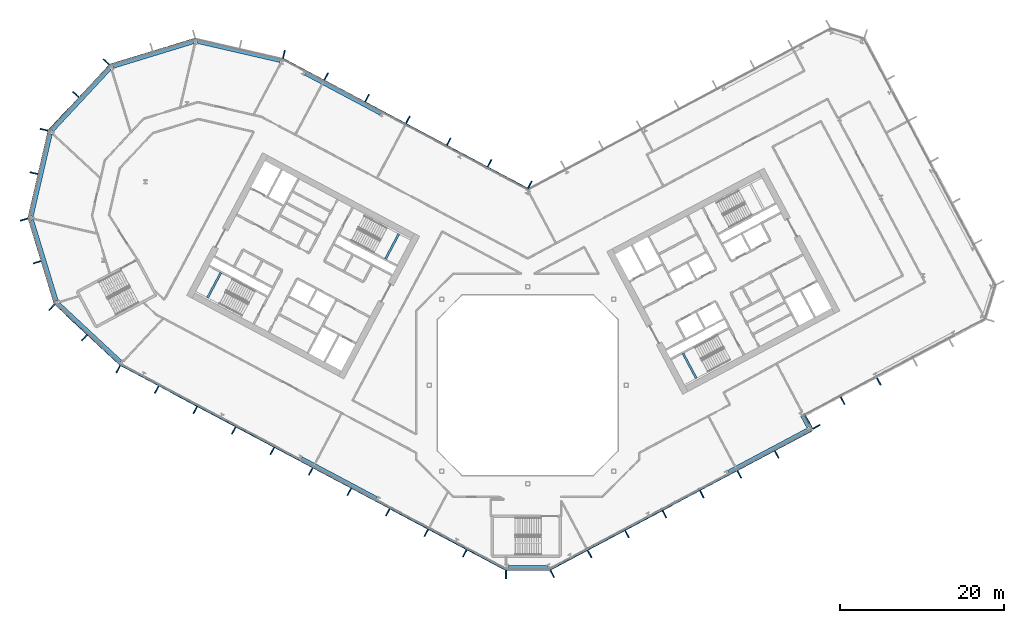
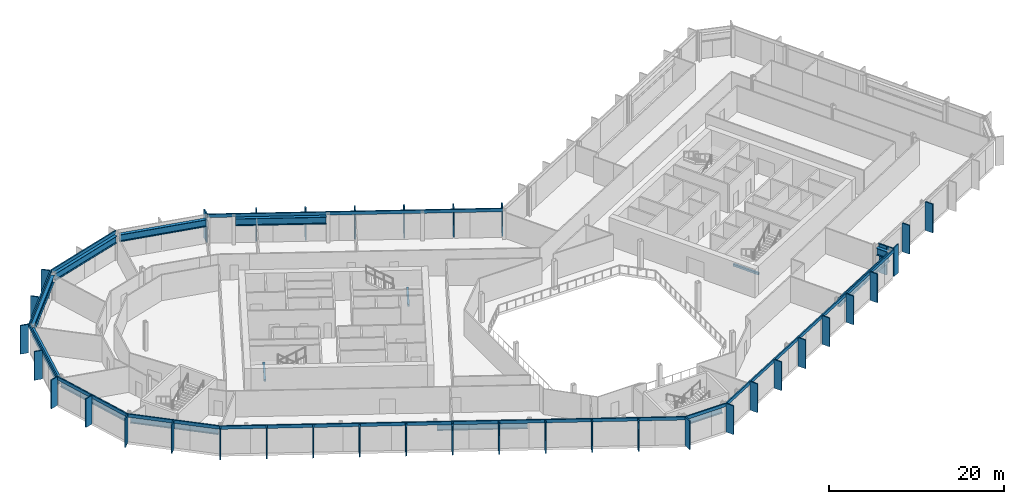
# One storey, part 9 of 28: 47 members, 14 beams, 12 elements without a shape of their own.
"""IFC4 building model written with IfcOpenShell, lengths in metres."""

from ifc_helpers import new_model, si_unit, direction, frame, origin, origin_2d, place, context, subcontext, project, spatial, rectangle, i_section, extrude, material, layer, layer_set, material_profile, profile_set, type_object, element, aggregate, save


model = new_model("IFC4")

# Units and contexts
model_context = context("Model", 3, precision=1e-05, world=origin(), true_north=direction((0.0, 1.0)))
body_context = subcontext(model_context, "Body", "Model", "MODEL_VIEW")
ifc_project = project(units=[si_unit("LENGTHUNIT", "METRE"), si_unit("AREAUNIT", "SQUARE_METRE"), si_unit("VOLUMEUNIT", "CUBIC_METRE"), si_unit("PLANEANGLEUNIT", "RADIAN"), si_unit("MASSUNIT", "GRAM", prefix="KILO")], contexts=[model_context])

# Site, building, storey
site_placement = place(None, origin())
site = spatial("IfcSite", under=ifc_project, at=site_placement, CompositionType="ELEMENT")
building_placement = place(site_placement, origin())
building = spatial("IfcBuilding", under=site, at=building_placement, Name="Cormorant Relay Tower", CompositionType="ELEMENT")
storey_placement = place(building_placement, frame((0.0, 0.0, 174.199951171875)))
storey = spatial("IfcBuildingStorey", under=building, at=storey_placement, Name="L37", CompositionType="ELEMENT", Elevation=174.199951171875)

# Curtain wall, member
ifc_material_1 = material(Name="Aluminium 6063-T6 anodised bronze", Category="aluminium")
ifc_layer = layer(ifc_material_1, 0.199951171875)
ifc_layer_set = layer_set([ifc_layer], Name="CW1 unitised bronze curtain wall with vertical fins")
curtain_wall_type = type_object("IfcCurtainWallType", Name="CW1 unitised bronze curtain wall with vertical fins", PredefinedType="NOTDEFINED", material=ifc_layer_set)
curtain_wall_1_placement = place(storey_placement, origin())
curtain_wall_1 = element("IfcCurtainWall", 1, at=curtain_wall_1_placement, inside=storey, type_object=curtain_wall_type, Name="CW1 curtain wall 1", PredefinedType="NOTDEFINED")
ifc_material_2 = material(Name="Aluminium 6063-T6 anodised bronze", Category="aluminium")
ifc_material_profile_1 = material_profile(ifc_material_2, rectangle(XDim=0.14990234375, YDim=1.0, at=origin_2d()), Name="AL 150x1000")
ifc_profile_set_1 = profile_set([ifc_material_profile_1], Name="Aluminium 6063-T6 anodised bronze")
member_type_1 = type_object("IfcMemberType", Name="CW1 bronze fin mullion 150 x 1000", PredefinedType="MULLION", material=ifc_profile_set_1)
member_1_placement = place(storey_placement, frame((-2.648681640625, -23.07568359375, 0.0), z_axis=(0.0, 0.0, 1.0), x_axis=(1.0, 0.0, 0.0)))
member_1 = element("IfcMember", 2, at=member_1_placement, type_object=member_type_1, Name="CW1 fin 1.1", PredefinedType="MULLION", context=body_context, shape_type="SweptSolid", body=[
    extrude(rectangle(XDim=0.14990234375, YDim=1.0, at=origin_2d()), origin(), (0.0, 0.0, 1.0), 4.0),
])

# Curtain wall, members
curtain_wall_2_placement = place(storey_placement, origin())
curtain_wall_2 = element("IfcCurtainWall", 3, at=curtain_wall_2_placement, inside=storey, type_object=curtain_wall_type, Name="CW1 curtain wall 2", PredefinedType="NOTDEFINED")
member_2_placement = place(storey_placement, frame((2.9775390625, -22.99365234375, 0.0), z_axis=(0.0, 0.0, 1.0), x_axis=(0.882947592859, 0.469471562786, 0.0)))
member_2 = element("IfcMember", 4, at=member_2_placement, type_object=member_type_1, Name="CW1 fin 2.1", PredefinedType="MULLION", context=body_context, shape_type="SweptSolid", body=[
    extrude(rectangle(XDim=0.14990234375, YDim=1.0, at=origin_2d()), origin(), (0.0, 0.0, 1.0), 4.0),
])
member_3_placement = place(storey_placement, frame((7.539306640625, -20.568115234375, 0.0), z_axis=(0.0, 0.0, 1.0), x_axis=(0.882947592859, 0.469471562786, 0.0)))
member_3 = element("IfcMember", 5, at=member_3_placement, type_object=member_type_1, Name="CW1 fin 2.2", PredefinedType="MULLION", context=body_context, shape_type="SweptSolid", body=[
    extrude(rectangle(XDim=0.14990234375, YDim=1.0, at=origin_2d()), origin(), (0.0, 0.0, 1.0), 4.0),
])
member_4_placement = place(storey_placement, frame((12.10107421875, -18.142578125, 0.0), z_axis=(0.0, 0.0, 1.0), x_axis=(0.882947592859, 0.469471562786, 0.0)))
member_4 = element("IfcMember", 6, at=member_4_placement, type_object=member_type_1, Name="CW1 fin 2.3", PredefinedType="MULLION", context=body_context, shape_type="SweptSolid", body=[
    extrude(rectangle(XDim=0.14990234375, YDim=1.0, at=origin_2d()), origin(), (0.0, 0.0, 1.0), 4.0),
])
member_5_placement = place(storey_placement, frame((16.662841796875, -15.717041015625, 0.0), z_axis=(0.0, 0.0, 1.0), x_axis=(0.882947592859, 0.469471562786, 0.0)))
member_5 = element("IfcMember", 7, at=member_5_placement, type_object=member_type_1, Name="CW1 fin 2.4", PredefinedType="MULLION", context=body_context, shape_type="SweptSolid", body=[
    extrude(rectangle(XDim=0.14990234375, YDim=1.0, at=origin_2d()), origin(), (0.0, 0.0, 1.0), 4.0),
])
member_6_placement = place(storey_placement, frame((21.224609375, -13.29150390625, 0.0), z_axis=(0.0, 0.0, 1.0), x_axis=(0.882947592859, 0.469471562786, 0.0)))
member_6 = element("IfcMember", 8, at=member_6_placement, type_object=member_type_1, Name="CW1 fin 2.5", PredefinedType="MULLION", context=body_context, shape_type="SweptSolid", body=[
    extrude(rectangle(XDim=0.14990234375, YDim=1.0, at=origin_2d()), origin(), (0.0, 0.0, 1.0), 4.0),
])
member_7_placement = place(storey_placement, frame((25.78662109375, -10.865966796875, 0.0), z_axis=(0.0, 0.0, 1.0), x_axis=(0.882947592859, 0.469471562786, 0.0)))
member_7 = element("IfcMember", 9, at=member_7_placement, type_object=member_type_1, Name="CW1 fin 2.6", PredefinedType="MULLION", context=body_context, shape_type="SweptSolid", body=[
    extrude(rectangle(XDim=0.14990234375, YDim=1.0, at=origin_2d()), origin(), (0.0, 0.0, 1.0), 4.0),
])
member_8_placement = place(storey_placement, frame((30.348388671875, -8.440185546875, 0.0), z_axis=(0.0, 0.0, 1.0), x_axis=(0.882947592859, 0.469471562786, 0.0)))
member_8 = element("IfcMember", 10, at=member_8_placement, type_object=member_type_1, Name="CW1 fin 2.7", PredefinedType="MULLION", context=body_context, shape_type="SweptSolid", body=[
    extrude(rectangle(XDim=0.14990234375, YDim=1.0, at=origin_2d()), origin(), (0.0, 0.0, 1.0), 4.0),
])

# Curtain wall, member
curtain_wall_3_placement = place(storey_placement, origin())
curtain_wall_3 = element("IfcCurtainWall", 11, at=curtain_wall_3_placement, inside=storey, type_object=curtain_wall_type, Name="CW1 curtain wall 3", PredefinedType="NOTDEFINED")
member_9_placement = place(storey_placement, frame((35.199462890625, -5.068115234375, 0.0), z_axis=(0.0, 0.0, 1.0), x_axis=(-0.469471562786, 0.882947592859, 0.0)))
member_9 = element("IfcMember", 12, at=member_9_placement, type_object=member_type_1, Name="CW1 fin 3.1", PredefinedType="MULLION", context=body_context, shape_type="SweptSolid", body=[
    extrude(rectangle(XDim=0.14990234375, YDim=1.0, at=origin_2d()), origin(), (0.0, 0.0, 1.0), 4.0),
])

# Curtain wall, members
curtain_wall_4_placement = place(storey_placement, origin())
curtain_wall_4 = element("IfcCurtainWall", 13, at=curtain_wall_4_placement, inside=storey, type_object=curtain_wall_type, Name="CW1 curtain wall 4", PredefinedType="NOTDEFINED")
member_10_placement = place(storey_placement, frame((34.037353515625, -4.213623046875, 0.0), z_axis=(0.0, 0.0, 1.0), x_axis=(0.882947592859, 0.469471562786, 0.0)))
member_10 = element("IfcMember", 14, at=member_10_placement, type_object=member_type_1, Name="CW1 fin 4.1", PredefinedType="MULLION", context=body_context, shape_type="SweptSolid", body=[
    extrude(rectangle(XDim=0.14990234375, YDim=1.0, at=origin_2d()), origin(), (0.0, 0.0, 1.0), 4.0),
])
member_11_placement = place(storey_placement, frame((38.385986328125, -1.901611328125, 0.0), z_axis=(0.0, 0.0, 1.0), x_axis=(0.882947592859, 0.469471562786, 0.0)))
member_11 = element("IfcMember", 15, at=member_11_placement, type_object=member_type_1, Name="CW1 fin 4.2", PredefinedType="MULLION", context=body_context, shape_type="SweptSolid", body=[
    extrude(rectangle(XDim=0.14990234375, YDim=1.0, at=origin_2d()), origin(), (0.0, 0.0, 1.0), 4.0),
])
member_12_placement = place(storey_placement, frame((42.800537109375, 0.44580078125, 0.0), z_axis=(0.0, 0.0, 1.0), x_axis=(0.882947592859, 0.469471562786, 0.0)))
member_12 = element("IfcMember", 16, at=member_12_placement, type_object=member_type_1, Name="CW1 fin 4.3", PredefinedType="MULLION", context=body_context, shape_type="SweptSolid", body=[
    extrude(rectangle(XDim=0.14990234375, YDim=1.0, at=origin_2d()), origin(), (0.0, 0.0, 1.0), 4.0),
])
aggregate(curtain_wall_4, [member_10, member_11, member_12])

curtain_wall_5_placement = place(storey_placement, origin())
curtain_wall_5 = element("IfcCurtainWall", 17, at=curtain_wall_5_placement, inside=storey, type_object=curtain_wall_type, Name="CW1 curtain wall 9", PredefinedType="NOTDEFINED")
member_13_placement = place(storey_placement, frame((0.262451171875, 24.437255859375, 0.0), z_axis=(0.0, 0.0, 1.0), x_axis=(-0.882947592859, 0.469471562786, 0.0)))
member_13 = element("IfcMember", 18, at=member_13_placement, type_object=member_type_1, Name="CW1 fin 9.1", PredefinedType="MULLION", context=body_context, shape_type="SweptSolid", body=[
    extrude(rectangle(XDim=0.14990234375, YDim=1.0, at=origin_2d()), origin(), (0.0, 0.0, 1.0), 4.0),
])
member_14_placement = place(storey_placement, frame((-4.650390625, 27.04931640625, 0.0), z_axis=(0.0, 0.0, 1.0), x_axis=(-0.882947592859, 0.469471562786, 0.0)))
member_14 = element("IfcMember", 19, at=member_14_placement, type_object=member_type_1, Name="CW1 fin 9.2", PredefinedType="MULLION", context=body_context, shape_type="SweptSolid", body=[
    extrude(rectangle(XDim=0.14990234375, YDim=1.0, at=origin_2d()), origin(), (0.0, 0.0, 1.0), 4.0),
])
member_15_placement = place(storey_placement, frame((-9.62939453125, 29.69677734375, 0.0), z_axis=(0.0, 0.0, 1.0), x_axis=(-0.882947592859, 0.469471562786, 0.0)))
member_15 = element("IfcMember", 20, at=member_15_placement, type_object=member_type_1, Name="CW1 fin 9.3", PredefinedType="MULLION", context=body_context, shape_type="SweptSolid", body=[
    extrude(rectangle(XDim=0.14990234375, YDim=1.0, at=origin_2d()), origin(), (0.0, 0.0, 1.0), 4.0),
])
member_16_placement = place(storey_placement, frame((-14.608154296875, 32.343994140625, 0.0), z_axis=(0.0, 0.0, 1.0), x_axis=(-0.882947592859, 0.469471562786, 0.0)))
member_16 = element("IfcMember", 21, at=member_16_placement, type_object=member_type_1, Name="CW1 fin 9.4", PredefinedType="MULLION", context=body_context, shape_type="SweptSolid", body=[
    extrude(rectangle(XDim=0.14990234375, YDim=1.0, at=origin_2d()), origin(), (0.0, 0.0, 1.0), 4.0),
])
member_17_placement = place(storey_placement, frame((-19.587158203125, 34.991455078125, 0.0), z_axis=(0.0, 0.0, 1.0), x_axis=(-0.882947592859, 0.469471562786, 0.0)))
member_17 = element("IfcMember", 22, at=member_17_placement, type_object=member_type_1, Name="CW1 fin 9.5", PredefinedType="MULLION", context=body_context, shape_type="SweptSolid", body=[
    extrude(rectangle(XDim=0.14990234375, YDim=1.0, at=origin_2d()), origin(), (0.0, 0.0, 1.0), 4.0),
])
member_18_placement = place(storey_placement, frame((-24.566162109375, 37.638916015625, 0.0), z_axis=(0.0, 0.0, 1.0), x_axis=(-0.882947592859, 0.469471562786, 0.0)))
member_18 = element("IfcMember", 23, at=member_18_placement, type_object=member_type_1, Name="CW1 fin 9.6", PredefinedType="MULLION", context=body_context, shape_type="SweptSolid", body=[
    extrude(rectangle(XDim=0.14990234375, YDim=1.0, at=origin_2d()), origin(), (0.0, 0.0, 1.0), 4.0),
])

# Curtain wall, member
curtain_wall_6_placement = place(storey_placement, origin())
curtain_wall_6 = element("IfcCurtainWall", 24, at=curtain_wall_6_placement, inside=storey, type_object=curtain_wall_type, Name="CW1 curtain wall 10", PredefinedType="NOTDEFINED")
member_19_placement = place(storey_placement, frame((-29.71630859375, 40.35009765625, 0.0), z_axis=(0.0, 0.0, 1.0), x_axis=(-0.974370064785, 0.224951054344, 0.0)))
member_19 = element("IfcMember", 25, at=member_19_placement, type_object=member_type_1, Name="CW1 fin 10.1", PredefinedType="MULLION", context=body_context, shape_type="SweptSolid", body=[
    extrude(rectangle(XDim=0.14990234375, YDim=1.0, at=origin_2d()), origin(), (0.0, 0.0, 1.0), 4.0),
])
aggregate(curtain_wall_6, [member_19])

# Curtain wall, members
curtain_wall_7_placement = place(storey_placement, origin())
curtain_wall_7 = element("IfcCurtainWall", 26, at=curtain_wall_7_placement, inside=storey, type_object=curtain_wall_type, Name="CW1 curtain wall 12", PredefinedType="NOTDEFINED")
member_20_placement = place(storey_placement, frame((-51.372802734375, 39.41259765625, 0.0), z_axis=(0.0, 0.0, 1.0), x_axis=(-0.681998360062, -0.731353701619, 0.0)))
member_20 = element("IfcMember", 27, at=member_20_placement, type_object=member_type_1, Name="CW1 fin 12.1", PredefinedType="MULLION", context=body_context, shape_type="SweptSolid", body=[
    extrude(rectangle(XDim=0.14990234375, YDim=1.0, at=origin_2d()), origin(), (0.0, 0.0, 1.0), 4.0),
])
member_21_placement = place(storey_placement, frame((-55.07958984375, 35.4375, 0.0), z_axis=(0.0, 0.0, 1.0), x_axis=(-0.681998360062, -0.731353701619, 0.0)))
member_21 = element("IfcMember", 28, at=member_21_placement, type_object=member_type_1, Name="CW1 fin 12.2", PredefinedType="MULLION", context=body_context, shape_type="SweptSolid", body=[
    extrude(rectangle(XDim=0.14990234375, YDim=1.0, at=origin_2d()), origin(), (0.0, 0.0, 1.0), 4.0),
])

curtain_wall_8_placement = place(storey_placement, origin())
curtain_wall_8 = element("IfcCurtainWall", 29, at=curtain_wall_8_placement, inside=storey, type_object=curtain_wall_type, Name="CW1 curtain wall 13", PredefinedType="NOTDEFINED")
member_22_placement = place(storey_placement, frame((-58.95654296875, 31.142578125, 0.0), z_axis=(0.0, 0.0, 1.0), x_axis=(-0.224951054344, -0.974370064785, 0.0)))
member_22 = element("IfcMember", 30, at=member_22_placement, type_object=member_type_1, Name="CW1 fin 13.1", PredefinedType="MULLION", context=body_context, shape_type="SweptSolid", body=[
    extrude(rectangle(XDim=0.14990234375, YDim=1.0, at=origin_2d()), origin(), (0.0, 0.0, 1.0), 4.0),
])
member_23_placement = place(storey_placement, frame((-60.17919921875, 25.8466796875, 0.0), z_axis=(0.0, 0.0, 1.0), x_axis=(-0.224951054344, -0.974370064785, 0.0)))
member_23 = element("IfcMember", 31, at=member_23_placement, type_object=member_type_1, Name="CW1 fin 13.2", PredefinedType="MULLION", context=body_context, shape_type="SweptSolid", body=[
    extrude(rectangle(XDim=0.14990234375, YDim=1.0, at=origin_2d()), origin(), (0.0, 0.0, 1.0), 4.0),
])

curtain_wall_9_placement = place(storey_placement, origin())
curtain_wall_9 = element("IfcCurtainWall", 32, at=curtain_wall_9_placement, inside=storey, type_object=curtain_wall_type, Name="CW1 curtain wall 14", PredefinedType="NOTDEFINED")
member_24_placement = place(storey_placement, frame((-61.389404296875, 20.188720703125, 0.0), z_axis=(0.0, 0.0, 1.0), x_axis=(0.292371704723, -0.956304755963, 0.0)))
member_24 = element("IfcMember", 33, at=member_24_placement, type_object=member_type_1, Name="CW1 fin 14.1", PredefinedType="MULLION", context=body_context, shape_type="SweptSolid", body=[
    extrude(rectangle(XDim=0.14990234375, YDim=1.0, at=origin_2d()), origin(), (0.0, 0.0, 1.0), 4.0),
])
member_25_placement = place(storey_placement, frame((-59.80029296875, 14.990966796875, 0.0), z_axis=(0.0, 0.0, 1.0), x_axis=(0.292371704723, -0.956304755963, 0.0)))
member_25 = element("IfcMember", 34, at=member_25_placement, type_object=member_type_1, Name="CW1 fin 14.2", PredefinedType="MULLION", context=body_context, shape_type="SweptSolid", body=[
    extrude(rectangle(XDim=0.14990234375, YDim=1.0, at=origin_2d()), origin(), (0.0, 0.0, 1.0), 4.0),
])

curtain_wall_10_placement = place(storey_placement, origin())
curtain_wall_10 = element("IfcCurtainWall", 35, at=curtain_wall_10_placement, inside=storey, type_object=curtain_wall_type, Name="CW1 curtain wall 15", PredefinedType="NOTDEFINED")
member_26_placement = place(storey_placement, frame((-58.01904296875, 9.486083984375, 0.0), z_axis=(0.0, 0.0, 1.0), x_axis=(0.731353701619, -0.681998360062, 0.0)))
member_26 = element("IfcMember", 36, at=member_26_placement, type_object=member_type_1, Name="CW1 fin 15.1", PredefinedType="MULLION", context=body_context, shape_type="SweptSolid", body=[
    extrude(rectangle(XDim=0.14990234375, YDim=1.0, at=origin_2d()), origin(), (0.0, 0.0, 1.0), 4.0),
])
member_27_placement = place(storey_placement, frame((-54.0439453125, 5.779296875, 0.0), z_axis=(0.0, 0.0, 1.0), x_axis=(0.731353701619, -0.681998360062, 0.0)))
member_27 = element("IfcMember", 37, at=member_27_placement, type_object=member_type_1, Name="CW1 fin 15.2", PredefinedType="MULLION", context=body_context, shape_type="SweptSolid", body=[
    extrude(rectangle(XDim=0.14990234375, YDim=1.0, at=origin_2d()), origin(), (0.0, 0.0, 1.0), 4.0),
])

curtain_wall_11_placement = place(storey_placement, origin())
curtain_wall_11 = element("IfcCurtainWall", 38, at=curtain_wall_11_placement, inside=storey, type_object=curtain_wall_type, Name="CW1 curtain wall 16", PredefinedType="NOTDEFINED")
member_28_placement = place(storey_placement, frame((-49.920166015625, 1.96630859375, 0.0), z_axis=(0.0, 0.0, 1.0), x_axis=(0.882947592859, -0.469471562786, 0.0)))
member_28 = element("IfcMember", 39, at=member_28_placement, type_object=member_type_1, Name="CW1 fin 16.1", PredefinedType="MULLION", context=body_context, shape_type="SweptSolid", body=[
    extrude(rectangle(XDim=0.14990234375, YDim=1.0, at=origin_2d()), origin(), (0.0, 0.0, 1.0), 4.0),
])
member_29_placement = place(storey_placement, frame((-45.225830078125, -0.52978515625, 0.0), z_axis=(0.0, 0.0, 1.0), x_axis=(0.882947592859, -0.469471562786, 0.0)))
member_29 = element("IfcMember", 40, at=member_29_placement, type_object=member_type_1, Name="CW1 fin 16.2", PredefinedType="MULLION", context=body_context, shape_type="SweptSolid", body=[
    extrude(rectangle(XDim=0.14990234375, YDim=1.0, at=origin_2d()), origin(), (0.0, 0.0, 1.0), 4.0),
])
member_30_placement = place(storey_placement, frame((-40.531494140625, -3.025634765625, 0.0), z_axis=(0.0, 0.0, 1.0), x_axis=(0.882947592859, -0.469471562786, 0.0)))
member_30 = element("IfcMember", 41, at=member_30_placement, type_object=member_type_1, Name="CW1 fin 16.3", PredefinedType="MULLION", context=body_context, shape_type="SweptSolid", body=[
    extrude(rectangle(XDim=0.14990234375, YDim=1.0, at=origin_2d()), origin(), (0.0, 0.0, 1.0), 4.0),
])
member_31_placement = place(storey_placement, frame((-35.83740234375, -5.521728515625, 0.0), z_axis=(0.0, 0.0, 1.0), x_axis=(0.882947592859, -0.469471562786, 0.0)))
member_31 = element("IfcMember", 42, at=member_31_placement, type_object=member_type_1, Name="CW1 fin 16.4", PredefinedType="MULLION", context=body_context, shape_type="SweptSolid", body=[
    extrude(rectangle(XDim=0.14990234375, YDim=1.0, at=origin_2d()), origin(), (0.0, 0.0, 1.0), 4.0),
])
member_32_placement = place(storey_placement, frame((-31.14306640625, -8.017578125, 0.0), z_axis=(0.0, 0.0, 1.0), x_axis=(0.882947592859, -0.469471562786, 0.0)))
member_32 = element("IfcMember", 43, at=member_32_placement, type_object=member_type_1, Name="CW1 fin 16.5", PredefinedType="MULLION", context=body_context, shape_type="SweptSolid", body=[
    extrude(rectangle(XDim=0.14990234375, YDim=1.0, at=origin_2d()), origin(), (0.0, 0.0, 1.0), 4.0),
])
member_33_placement = place(storey_placement, frame((-26.44873046875, -10.513671875, 0.0), z_axis=(0.0, 0.0, 1.0), x_axis=(0.882947592859, -0.469471562786, 0.0)))
member_33 = element("IfcMember", 44, at=member_33_placement, type_object=member_type_1, Name="CW1 fin 16.6", PredefinedType="MULLION", context=body_context, shape_type="SweptSolid", body=[
    extrude(rectangle(XDim=0.14990234375, YDim=1.0, at=origin_2d()), origin(), (0.0, 0.0, 1.0), 4.0),
])
member_34_placement = place(storey_placement, frame((-21.754638671875, -13.009765625, 0.0), z_axis=(0.0, 0.0, 1.0), x_axis=(0.882947592859, -0.469471562786, 0.0)))
member_34 = element("IfcMember", 45, at=member_34_placement, type_object=member_type_1, Name="CW1 fin 16.7", PredefinedType="MULLION", context=body_context, shape_type="SweptSolid", body=[
    extrude(rectangle(XDim=0.14990234375, YDim=1.0, at=origin_2d()), origin(), (0.0, 0.0, 1.0), 4.0),
])
member_35_placement = place(storey_placement, frame((-17.060302734375, -15.505615234375, 0.0), z_axis=(0.0, 0.0, 1.0), x_axis=(0.882947592859, -0.469471562786, 0.0)))
member_35 = element("IfcMember", 46, at=member_35_placement, type_object=member_type_1, Name="CW1 fin 16.8", PredefinedType="MULLION", context=body_context, shape_type="SweptSolid", body=[
    extrude(rectangle(XDim=0.14990234375, YDim=1.0, at=origin_2d()), origin(), (0.0, 0.0, 1.0), 4.0),
])
member_36_placement = place(storey_placement, frame((-12.365966796875, -18.001708984375, 0.0), z_axis=(0.0, 0.0, 1.0), x_axis=(0.882947592859, -0.469471562786, 0.0)))
member_36 = element("IfcMember", 47, at=member_36_placement, type_object=member_type_1, Name="CW1 fin 16.9", PredefinedType="MULLION", context=body_context, shape_type="SweptSolid", body=[
    extrude(rectangle(XDim=0.14990234375, YDim=1.0, at=origin_2d()), origin(), (0.0, 0.0, 1.0), 4.0),
])
member_37_placement = place(storey_placement, frame((-7.671630859375, -20.49755859375, 0.0), z_axis=(0.0, 0.0, 1.0), x_axis=(0.882947592859, -0.469471562786, 0.0)))
member_37 = element("IfcMember", 48, at=member_37_placement, type_object=member_type_1, Name="CW1 fin 16.10", PredefinedType="MULLION", context=body_context, shape_type="SweptSolid", body=[
    extrude(rectangle(XDim=0.14990234375, YDim=1.0, at=origin_2d()), origin(), (0.0, 0.0, 1.0), 4.0),
])

# Member
ifc_material_3 = material(Name="Aluminium 6063-T6 anodised bronze", Category="aluminium")
ifc_material_profile_2 = material_profile(ifc_material_3, rectangle(XDim=0.159912109375, YDim=0.449951171875, at=origin_2d()), Name="AL 160x450")
ifc_profile_set_2 = profile_set([ifc_material_profile_2], Name="Aluminium 6063-T6 anodised bronze")
member_type_2 = type_object("IfcMemberType", Name="CW1 bronze transom 160 x 450", PredefinedType="USERDEFINED", material=ifc_profile_set_2)
member_38_placement = place(storey_placement, frame((-2.648681640625, -22.49560546875, 3.775146484375), z_axis=(1.0, 0.0, 0.0), x_axis=(0.0, 1.0, 0.0)))
member_38 = element("IfcMember", 49, at=member_38_placement, type_object=member_type_2, Name="CW1 transom 1", ObjectType="TRANSOM", PredefinedType="USERDEFINED", context=body_context, shape_type="SweptSolid", body=[
    extrude(rectangle(XDim=0.159912109375, YDim=0.449951171875, at=origin_2d()), origin(), (0.0, 0.0, 1.0), 5.29736328125),
])

aggregate(curtain_wall_1, [member_1, member_38])

member_39_placement = place(storey_placement, frame((2.705078125, -22.4814453125, 3.775146484375), z_axis=(0.882948899141, 0.469469106018, 0.0), x_axis=(-0.469469106018, 0.882948899141, 0.0)))
member_39 = element("IfcMember", 50, at=member_39_placement, type_object=member_type_2, Name="CW1 transom 2", ObjectType="TRANSOM", PredefinedType="USERDEFINED", context=body_context, shape_type="SweptSolid", body=[
    extrude(rectangle(XDim=0.159912109375, YDim=0.449951171875, at=origin_2d()), origin(), (0.0, 0.0, 1.0), 36.165771484375),
])

aggregate(curtain_wall_2, [member_2, member_3, member_4, member_5, member_6, member_7, member_8, member_39])

member_40_placement = place(storey_placement, frame((34.6875, -5.34033203125, 3.775146484375), z_axis=(-0.469580583036, 0.88288961713, 0.0), x_axis=(-0.88288961713, -0.469580583036, 0.0)))
member_40 = element("IfcMember", 51, at=member_40_placement, type_object=member_type_2, Name="CW1 transom 3", ObjectType="TRANSOM", PredefinedType="USERDEFINED", context=body_context, shape_type="SweptSolid", body=[
    extrude(rectangle(XDim=0.159912109375, YDim=0.449951171875, at=origin_2d()), origin(), (0.0, 0.0, 1.0), 2.0),
])

aggregate(curtain_wall_3, [member_9, member_40])

member_41_placement = place(storey_placement, frame((0.056396484375, 23.889892578125, 3.775146484375), z_axis=(-0.882946280328, 0.46947403129, 0.0), x_axis=(-0.46947403129, -0.882946280328, 0.0)))
member_41 = element("IfcMember", 52, at=member_41_placement, type_object=member_type_2, Name="CW1 transom 9", ObjectType="TRANSOM", PredefinedType="USERDEFINED", context=body_context, shape_type="SweptSolid", body=[
    extrude(rectangle(XDim=0.159912109375, YDim=0.449951171875, at=origin_2d()), origin(), (0.0, 0.0, 1.0), 33.834228515625),
])

aggregate(curtain_wall_5, [member_13, member_14, member_15, member_16, member_17, member_18, member_41])

# Curtain wall, member
curtain_wall_12_placement = place(storey_placement, origin())
curtain_wall_12 = element("IfcCurtainWall", 53, at=curtain_wall_12_placement, inside=storey, type_object=curtain_wall_type, Name="CW1 curtain wall 11", PredefinedType="NOTDEFINED")
member_42_placement = place(storey_placement, frame((-40.50048828125, 42.228271484375, 3.775146484375), z_axis=(-0.956304833932, -0.292371449698, 0.0), x_axis=(0.292371449698, -0.956304833932, 0.0)))
member_42 = element("IfcMember", 54, at=member_42_placement, type_object=member_type_2, Name="CW1 transom 11", ObjectType="TRANSOM", PredefinedType="USERDEFINED", context=body_context, shape_type="SweptSolid", body=[
    extrude(rectangle(XDim=0.159912109375, YDim=0.449951171875, at=origin_2d()), origin(), (0.0, 0.0, 1.0), 10.87060546875),
])
aggregate(curtain_wall_12, [member_42])

# Member
member_43_placement = place(storey_placement, frame((-50.94873046875, 39.01708984375, 3.775146484375), z_axis=(-0.681993299437, -0.731358420696, 0.0), x_axis=(0.731358420696, -0.681993299437, 0.0)))
member_43 = element("IfcMember", 55, at=member_43_placement, type_object=member_type_2, Name="CW1 transom 12", ObjectType="TRANSOM", PredefinedType="USERDEFINED", context=body_context, shape_type="SweptSolid", body=[
    extrude(rectangle(XDim=0.159912109375, YDim=0.449951171875, at=origin_2d()), origin(), (0.0, 0.0, 1.0), 10.870361328125),
])

aggregate(curtain_wall_7, [member_20, member_21, member_43])

member_44_placement = place(storey_placement, frame((-58.3916015625, 31.01220703125, 3.775146484375), z_axis=(-0.22495136131, -0.974369993916, 0.0), x_axis=(0.974369993916, -0.22495136131, 0.0)))
member_44 = element("IfcMember", 56, at=member_44_placement, type_object=member_type_2, Name="CW1 transom 13", ObjectType="TRANSOM", PredefinedType="USERDEFINED", context=body_context, shape_type="SweptSolid", body=[
    extrude(rectangle(XDim=0.159912109375, YDim=0.449951171875, at=origin_2d()), origin(), (0.0, 0.0, 1.0), 10.870361328125),
])

aggregate(curtain_wall_8, [member_22, member_23, member_44])

member_45_placement = place(storey_placement, frame((-60.834716796875, 20.358154296875, 3.775146484375), z_axis=(0.292377729282, -0.95630291405, 0.0), x_axis=(0.95630291405, 0.292377729282, 0.0)))
member_45 = element("IfcMember", 57, at=member_45_placement, type_object=member_type_2, Name="CW1 transom 14", ObjectType="TRANSOM", PredefinedType="USERDEFINED", context=body_context, shape_type="SweptSolid", body=[
    extrude(rectangle(XDim=0.159912109375, YDim=0.449951171875, at=origin_2d()), origin(), (0.0, 0.0, 1.0), 10.870361328125),
])

aggregate(curtain_wall_9, [member_24, member_25, member_45])

member_46_placement = place(storey_placement, frame((-57.62353515625, 9.91015625, 3.775146484375), z_axis=(0.731358420696, -0.681993299437, 0.0), x_axis=(0.681993299437, 0.731358420696, 0.0)))
member_46 = element("IfcMember", 58, at=member_46_placement, type_object=member_type_2, Name="CW1 transom 15", ObjectType="TRANSOM", PredefinedType="USERDEFINED", context=body_context, shape_type="SweptSolid", body=[
    extrude(rectangle(XDim=0.159912109375, YDim=0.449951171875, at=origin_2d()), origin(), (0.0, 0.0, 1.0), 10.870361328125),
])

aggregate(curtain_wall_10, [member_26, member_27, member_46])

member_47_placement = place(storey_placement, frame((-49.64794921875, 2.478515625, 3.775146484375), z_axis=(0.882947642542, -0.469471469346, 0.0), x_axis=(0.469471469346, 0.882947642542, 0.0)))
member_47 = element("IfcMember", 59, at=member_47_placement, type_object=member_type_2, Name="CW1 transom 16", ObjectType="TRANSOM", PredefinedType="USERDEFINED", context=body_context, shape_type="SweptSolid", body=[
    extrude(rectangle(XDim=0.159912109375, YDim=0.449951171875, at=origin_2d()), origin(), (0.0, 0.0, 1.0), 53.166015625),
])

aggregate(curtain_wall_11, [member_28, member_29, member_30, member_31, member_32, member_33, member_34, member_35, member_36, member_37, member_47])

# Beams
ifc_material_4 = material(Name="Steel ASTM A992 (Fy 345 MPa)", Category="steel")
ifc_material_profile_3 = material_profile(ifc_material_4, i_section(OverallWidth=0.4013671875, OverallDepth=1.000732421875, WebThickness=0.01904296875, FlangeThickness=0.0361328125, FilletRadius=0.02978515625, at=origin_2d()), Name="W1000x371")
ifc_profile_set_3 = profile_set([ifc_material_profile_3], Name="Steel ASTM A992 (Fy 345 MPa)")
beam_type_1 = type_object("IfcBeamType", Name="Spandrel W1000x371", PredefinedType="SPANDREL", material=ifc_profile_set_3)
beam_1_placement = place(storey_placement, frame((-2.35888671875, -22.1748046875, 3.099609375), z_axis=(1.0, 0.0, 0.0), x_axis=(0.0, 1.0, 0.0)))
element("IfcBeam", 60, at=beam_1_placement, inside=storey, type_object=beam_type_1, Name="Spandrel beam L37-001", PredefinedType="SPANDREL", context=body_context, shape_type="SweptSolid", body=[
    extrude(i_section(OverallWidth=0.4013671875, OverallDepth=1.000732421875, WebThickness=0.01904296875, FlangeThickness=0.0361328125, FilletRadius=0.02978515625, at=origin_2d()), origin(), (0.0, 0.0, 1.0), 4.748046875),
])
beam_2_placement = place(storey_placement, frame((24.427001953125, -10.568603515625, 3.099609375), z_axis=(0.88295524081, 0.469457178799, 0.0), x_axis=(-0.469457178799, 0.88295524081, 0.0)))
element("IfcBeam", 61, at=beam_2_placement, inside=storey, type_object=beam_type_1, Name="Spandrel beam L37-002", PredefinedType="SPANDREL", context=body_context, shape_type="SweptSolid", body=[
    extrude(i_section(OverallWidth=0.4013671875, OverallDepth=1.000732421875, WebThickness=0.01904296875, FlangeThickness=0.0361328125, FilletRadius=0.02978515625, at=origin_2d()), origin(), (0.0, 0.0, 1.0), 10.915771484375),
])
beam_3_placement = place(storey_placement, frame((34.191650390625, -5.091064453125, 3.099609375), z_axis=(-0.469471937736, 0.882947393494, 0.0), x_axis=(-0.882947393494, -0.469471937736, 0.0)))
element("IfcBeam", 62, at=beam_3_placement, inside=storey, type_object=beam_type_1, Name="Spandrel beam L37-003", PredefinedType="SPANDREL", context=body_context, shape_type="SweptSolid", body=[
    extrude(i_section(OverallWidth=0.4013671875, OverallDepth=1.000732421875, WebThickness=0.01904296875, FlangeThickness=0.0361328125, FilletRadius=0.02978515625, at=origin_2d()), origin(), (0.0, 0.0, 1.0), 1.521728515625),
])
beam_4_placement = place(storey_placement, frame((-17.964599609375, 33.108642578125, 3.099609375), z_axis=(-0.882946180893, 0.469474218299, 0.0), x_axis=(-0.469474218299, -0.882946180893, 0.0)))
element("IfcBeam", 63, at=beam_4_placement, inside=storey, type_object=beam_type_1, Name="Spandrel beam L37-009", PredefinedType="SPANDREL", context=body_context, shape_type="SweptSolid", body=[
    extrude(i_section(OverallWidth=0.4013671875, OverallDepth=1.000732421875, WebThickness=0.01904296875, FlangeThickness=0.0361328125, FilletRadius=0.02978515625, at=origin_2d()), origin(), (0.0, 0.0, 1.0), 10.388671875),
])
beam_5_placement = place(storey_placement, frame((-30.162109375, 39.52880859375, 3.099609375), z_axis=(-0.974371727644, 0.224943851591, 0.0), x_axis=(-0.224943851591, -0.974371727644, 0.0)))
element("IfcBeam", 64, at=beam_5_placement, inside=storey, type_object=beam_type_1, Name="Spandrel beam L37-010", PredefinedType="SPANDREL", context=body_context, shape_type="SweptSolid", body=[
    extrude(i_section(OverallWidth=0.4013671875, OverallDepth=1.000732421875, WebThickness=0.01904296875, FlangeThickness=0.0361328125, FilletRadius=0.02978515625, at=origin_2d()), origin(), (0.0, 0.0, 1.0), 10.3583984375),
])
beam_6_placement = place(storey_placement, frame((-40.69140625, 41.834716796875, 3.099609375), z_axis=(-0.95629714744, -0.292396589921, 0.0), x_axis=(0.292396589921, -0.95629714744, 0.0)))
element("IfcBeam", 65, at=beam_6_placement, inside=storey, type_object=beam_type_1, Name="Spandrel beam L37-011", PredefinedType="SPANDREL", context=body_context, shape_type="SweptSolid", body=[
    extrude(i_section(OverallWidth=0.4013671875, OverallDepth=1.000732421875, WebThickness=0.01904296875, FlangeThickness=0.0361328125, FilletRadius=0.02978515625, at=origin_2d()), origin(), (0.0, 0.0, 1.0), 10.31103515625),
])
beam_7_placement = place(storey_placement, frame((-50.917236328125, 38.58056640625, 3.099609375), z_axis=(-0.682003508788, -0.731348900321, 0.0), x_axis=(0.731348900321, -0.682003508788, 0.0)))
element("IfcBeam", 66, at=beam_7_placement, inside=storey, type_object=beam_type_1, Name="Spandrel beam L37-012", PredefinedType="SPANDREL", context=body_context, shape_type="SweptSolid", body=[
    extrude(i_section(OverallWidth=0.4013671875, OverallDepth=1.000732421875, WebThickness=0.01904296875, FlangeThickness=0.0361328125, FilletRadius=0.02978515625, at=origin_2d()), origin(), (0.0, 0.0, 1.0), 10.310791015625),
])
for number, where, z_axis, x_axis, name in (
    (67, (-58.14599609375, 30.64990234375, 3.099609375), (-0.224951162328, -0.974370039855, 0.0), (0.974370039855, -0.224951162328, 0.0), "Spandrel beam L37-013"),
    (68, (-60.44091796875, 20.16748046875, 3.099609375), (0.292366522639, -0.95630634027, 0.0), (0.95630634027, 0.292366522639, 0.0), "Spandrel beam L37-014"),
):
    element("IfcBeam", number, at=place(storey_placement, frame(where, z_axis=z_axis, x_axis=x_axis)), inside=storey, type_object=beam_type_1, Name=name, PredefinedType="SPANDREL", context=body_context, shape_type="SweptSolid", body=[
        extrude(i_section(OverallWidth=0.4013671875, OverallDepth=1.000732421875, WebThickness=0.01904296875, FlangeThickness=0.0361328125, FilletRadius=0.02978515625, at=origin_2d()), origin(), (0.0, 0.0, 1.0), 10.310302734375),
    ])
beam_8_placement = place(storey_placement, frame((-57.1875, 9.94189453125, 3.099609375), z_axis=(0.731351225545, -0.682001015317, 0.0), x_axis=(0.682001015317, 0.731351225545, 0.0)))
element("IfcBeam", 69, at=beam_8_placement, inside=storey, type_object=beam_type_1, Name="Spandrel beam L37-015", PredefinedType="SPANDREL", context=body_context, shape_type="SweptSolid", body=[
    extrude(i_section(OverallWidth=0.4013671875, OverallDepth=1.000732421875, WebThickness=0.01904296875, FlangeThickness=0.0361328125, FilletRadius=0.02978515625, at=origin_2d()), origin(), (0.0, 0.0, 1.0), 10.33935546875),
])
beam_9_placement = place(storey_placement, frame((-27.595458984375, -8.8837890625, 3.099609375), z_axis=(0.882941619164, -0.4694827975, 0.0), x_axis=(0.4694827975, 0.882941619164, 0.0)))
element("IfcBeam", 70, at=beam_9_placement, inside=storey, type_object=beam_type_1, Name="Spandrel beam L37-016", PredefinedType="SPANDREL", context=body_context, shape_type="SweptSolid", body=[
    extrude(i_section(OverallWidth=0.4013671875, OverallDepth=1.000732421875, WebThickness=0.01904296875, FlangeThickness=0.0361328125, FilletRadius=0.02978515625, at=origin_2d()), origin(), (0.0, 0.0, 1.0), 10.388916015625),
])
ifc_material_5 = material(Name="Concrete 50 MPa", Category="concrete")
ifc_material_profile_4 = material_profile(ifc_material_5, rectangle(XDim=0.25, YDim=0.300048828125, at=origin_2d()), Name="RC 250x300")
ifc_profile_set_4 = profile_set([ifc_material_profile_4], Name="Concrete 50 MPa")
beam_type_2 = type_object("IfcBeamType", Name="Stair landing ledge beam 250x300", PredefinedType="BEAM", material=ifc_profile_set_4)
for number, where, z_axis, x_axis, name in (
    (71, (-17.338623046875, 15.3916015625, 1.650146484375), (0.469463917486, 0.882951657895, 0.0), (-0.882951657895, 0.469463917486, 0.0), "A1 landing ledge beam"),
    (72, (-37.404052734375, 13.715576171875, 1.650146484375), (-0.469463917486, -0.882951657895, 0.0), (0.882951657895, -0.469463917486, 0.0), "A2 landing ledge beam"),
    (73, (18.924072265625, 3.8896484375, 1.650146484375), (0.469463917486, -0.882951657895, 0.0), (0.882951657895, 0.469463917486, 0.0), "B1 landing ledge beam"),
):
    element("IfcBeam", number, at=place(storey_placement, frame(where, z_axis=z_axis, x_axis=x_axis)), inside=storey, type_object=beam_type_2, Name=name, PredefinedType="BEAM", context=body_context, shape_type="SweptSolid", body=[
        extrude(rectangle(XDim=0.25, YDim=0.300048828125, at=origin_2d()), origin(), (0.0, 0.0, 1.0), 3.449951171875),
    ])

save(model, "model.ifc")
